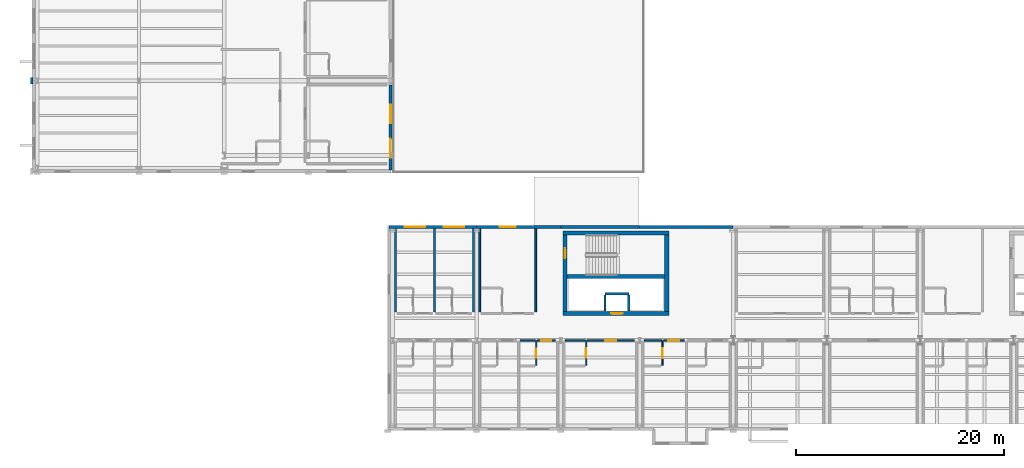
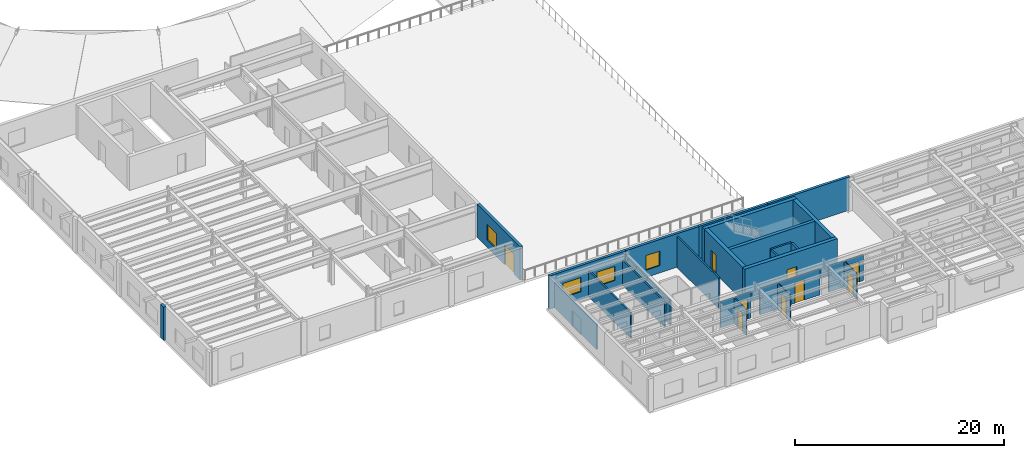
# One storey, part 36 of 59: 28 walls, 9 doors, 4 windows, 13 openings.
"""IFC4 building model written with IfcOpenShell, lengths in metres."""

from ifc_helpers import new_model, si_unit, direction, frame, frame_2d, origin, place, context, subcontext, project, spatial, rectangle, extrude, material, layer, layer_set, type_object, element, fill, save


model = new_model("IFC4")

# Units and contexts
model_context = context("Model", 3, precision=1e-05, world=origin(), true_north=direction((0.0, 1.0)))
body_context = subcontext(model_context, "Body", "Model", "MODEL_VIEW")
ifc_project = project(units=[si_unit("LENGTHUNIT", "METRE"), si_unit("AREAUNIT", "SQUARE_METRE"), si_unit("VOLUMEUNIT", "CUBIC_METRE"), si_unit("PLANEANGLEUNIT", "RADIAN"), si_unit("MASSUNIT", "GRAM", prefix="KILO")], contexts=[model_context])

# Site, building, storey
site_placement = place(None, origin())
site = spatial("IfcSite", under=ifc_project, at=site_placement, CompositionType="ELEMENT")
building_placement = place(site_placement, origin())
building = spatial("IfcBuilding", under=site, at=building_placement, Name="Sollismere Congress Hotel", CompositionType="ELEMENT")
storey_placement = place(building_placement, frame((0.0, 0.0, 15.60009765625)))
storey = spatial("IfcBuildingStorey", under=building, at=storey_placement, Name="L03", CompositionType="ELEMENT", Elevation=15.60009765625)

# Wall, openings, door, window
ifc_material_1 = material(Name="Colorado Buff Sandstone Rainscreen on Insulated Backup", Category="masonry")
ifc_layer_1 = layer(ifc_material_1, 0.284912109375, Name="Colorado Buff Sandstone Rainscreen on Insulated Backup")
ifc_layer_set_1 = layer_set([ifc_layer_1], Name="Colorado Buff Sandstone Rainscreen on Insulated Backup")
wall_type_1 = type_object("IfcWallType", Name="WL-EXT285", PredefinedType="STANDARD", material=ifc_layer_set_1)
wall_1_placement = place(storey_placement, frame((34.030029296875, 24.60009765625, 0.0), z_axis=(0.0, 0.0, 1.0), x_axis=(0.0, 1.0, 0.0)))
wall_1 = element("IfcWall", 1, at=wall_1_placement, inside=storey, type_object=wall_type_1, Name="Exterior wall EW-L03-195", PredefinedType="STANDARD", context=body_context, shape_type="SweptSolid", body=[
    extrude(rectangle(XDim=8.199951171875, YDim=0.284912109375, at=frame_2d((4.10009765625, 0.0))), origin(), (0.0, 0.0, 1.0), 3.89990234375),
])
opening_1_placement = place(wall_1_placement, frame((1.199951171875, 0.0, 0.0)))
opening_1 = element("IfcOpeningElement", 2, at=opening_1_placement, cuts=wall_1, Name="Opening D-L03-GD1", PredefinedType="OPENING", context=body_context, shape_type="SweptSolid", body=[
    extrude(rectangle(XDim=1.800048828125, YDim=2.300048828125, at=frame_2d((0.89990234375, 1.14990234375))), frame((0.0, 0.15234375, 0.0), z_axis=(0.0, -1.0, 0.0), x_axis=(1.0, 0.0, 0.0)), (0.0, 0.0, 1.0), 0.304931640625),
])
opening_2_placement = place(wall_1_placement, frame((4.5, 0.0, 0.8798828125)))
opening_2 = element("IfcOpeningElement", 3, at=opening_2_placement, cuts=wall_1, Name="Opening W-L03-161", PredefinedType="OPENING", context=body_context, shape_type="SweptSolid", body=[
    extrude(rectangle(XDim=1.800048828125, YDim=1.800048828125, at=frame_2d((0.89990234375, 0.89990234375))), frame((0.0, 0.15234375, 0.0), z_axis=(0.0, -1.0, 0.0), x_axis=(1.0, 0.0, 0.0)), (0.0, 0.0, 1.0), 0.304931640625),
])
ifc_material_2 = material(Name="Thermally Broken Bronze-Anodized Aluminum & Laminated Glass", Category="aluminium")
door_type_1 = type_object("IfcDoorType", Name="DR-EX180", OperationType="DOUBLE_DOOR_SINGLE_SWING", PredefinedType="DOOR", material=ifc_material_2)
door_1_placement = place(opening_1_placement, origin())
door_1 = element("IfcDoor", 4, at=door_1_placement, inside=storey, type_object=door_type_1, Name="DOR-D-L03-GD1", OperationType="DOUBLE_DOOR_SINGLE_SWING", OverallHeight=2.300048828125, OverallWidth=1.800048828125, PredefinedType="DOOR", context=body_context, shape_type="SweptSolid", body=[
    extrude(rectangle(XDim=1.800048828125, YDim=2.300048828125, at=frame_2d((0.89990234375, 1.14990234375))), frame((0.0, 0.02490234375, 0.0), z_axis=(0.0, -1.0, 0.0), x_axis=(1.0, 0.0, 0.0)), (0.0, 0.0, 1.0), 0.050048828125),
])
fill(opening_1, door_1)
ifc_material_3 = material(Name="Thermally Broken Bronze Aluminum & Low-E Glass", Category="aluminium")
window_type_1 = type_object("IfcWindowType", Name="WN-P180x180", PartitioningType="SINGLE_PANEL", PredefinedType="WINDOW", material=ifc_material_3)
window_1_placement = place(opening_2_placement, origin())
window_1 = element("IfcWindow", 5, at=window_1_placement, inside=storey, type_object=window_type_1, Name="WIN-W-L03-161", OverallHeight=1.800048828125, OverallWidth=1.800048828125, PartitioningType="SINGLE_PANEL", PredefinedType="WINDOW", context=body_context, shape_type="SweptSolid", body=[
    extrude(rectangle(XDim=1.800048828125, YDim=1.800048828125, at=frame_2d((0.89990234375, 0.89990234375))), frame((0.0, 0.030029296875, 0.0), z_axis=(0.0, -1.0, 0.0), x_axis=(1.0, 0.0, 0.0)), (0.0, 0.0, 1.0), 0.06005859375),
])
fill(opening_2, window_1)

# Wall, openings, windows
wall_2_placement = place(storey_placement, frame((42.300048828125, 19.110107421875, 0.0), z_axis=(0.0, 0.0, 1.0), x_axis=(-1.0, 0.0, 0.0)))
wall_2 = element("IfcWall", 6, at=wall_2_placement, inside=storey, type_object=wall_type_1, Name="Exterior wall EW-L03-455", PredefinedType="STANDARD", context=body_context, shape_type="SweptSolid", body=[
    extrude(rectangle(XDim=8.41015625, YDim=0.284912109375, at=frame_2d((4.205078125, 0.0))), origin(), (0.0, 0.0, 1.0), 3.89990234375),
])
opening_3_placement = place(wall_2_placement, frame((4.925048828125, 0.0, 0.85009765625)))
opening_3 = element("IfcOpeningElement", 7, at=opening_3_placement, cuts=wall_2, Name="Opening W-L03-347", PredefinedType="OPENING", context=body_context, shape_type="SweptSolid", body=[
    extrude(rectangle(XDim=2.0, YDim=1.64990234375, at=frame_2d((1.0, 0.824951171875))), frame((0.0, 0.15234375, 0.0), z_axis=(0.0, -1.0, 0.0), x_axis=(1.0, 0.0, 0.0)), (0.0, 0.0, 1.0), 0.304931640625),
])
opening_4_placement = place(wall_2_placement, frame((1.175048828125, 0.0, 0.85009765625)))
opening_4 = element("IfcOpeningElement", 8, at=opening_4_placement, cuts=wall_2, Name="Opening W-L03-348", PredefinedType="OPENING", context=body_context, shape_type="SweptSolid", body=[
    extrude(rectangle(XDim=2.0, YDim=1.64990234375, at=frame_2d((1.0, 0.824951171875))), frame((0.0, 0.15234375, 0.0), z_axis=(0.0, -1.0, 0.0), x_axis=(1.0, 0.0, 0.0)), (0.0, 0.0, 1.0), 0.304931640625),
])
window_type_2 = type_object("IfcWindowType", Name="WN-P200x165", PartitioningType="SINGLE_PANEL", PredefinedType="WINDOW", material=ifc_material_3)
window_2_placement = place(opening_3_placement, origin())
window_2 = element("IfcWindow", 9, at=window_2_placement, inside=storey, type_object=window_type_2, Name="WIN-W-L03-347", OverallHeight=1.64990234375, OverallWidth=2.0, PartitioningType="SINGLE_PANEL", PredefinedType="WINDOW", context=body_context, shape_type="SweptSolid", body=[
    extrude(rectangle(XDim=2.0, YDim=1.64990234375, at=frame_2d((1.0, 0.824951171875))), frame((0.0, 0.030029296875, 0.0), z_axis=(0.0, -1.0, 0.0), x_axis=(1.0, 0.0, 0.0)), (0.0, 0.0, 1.0), 0.06005859375),
])
fill(opening_3, window_2)
window_3_placement = place(opening_4_placement, origin())
window_3 = element("IfcWindow", 10, at=window_3_placement, inside=storey, type_object=window_type_2, Name="WIN-W-L03-348", OverallHeight=1.64990234375, OverallWidth=2.0, PartitioningType="SINGLE_PANEL", PredefinedType="WINDOW", context=body_context, shape_type="SweptSolid", body=[
    extrude(rectangle(XDim=2.0, YDim=1.64990234375, at=frame_2d((1.0, 0.824951171875))), frame((0.0, 0.030029296875, 0.0), z_axis=(0.0, -1.0, 0.0), x_axis=(1.0, 0.0, 0.0)), (0.0, 0.0, 1.0), 0.06005859375),
])
fill(opening_4, window_3)

# Wall, opening, window
wall_3_placement = place(storey_placement, frame((50.39990234375, 19.110107421875, 0.0), z_axis=(0.0, 0.0, 1.0), x_axis=(-1.0, 0.0, 0.0)))
wall_3 = element("IfcWall", 11, at=wall_3_placement, inside=storey, type_object=wall_type_1, Name="Exterior wall EW-L03-456", PredefinedType="STANDARD", context=body_context, shape_type="SweptSolid", body=[
    extrude(rectangle(XDim=8.099853515625, YDim=0.284912109375, at=frame_2d((4.0498046875, 0.0))), origin(), (0.0, 0.0, 1.0), 3.89990234375),
])
opening_5_placement = place(wall_3_placement, frame((4.35009765625, 0.0, 0.85009765625)))
opening_5 = element("IfcOpeningElement", 12, at=opening_5_placement, cuts=wall_3, Name="Opening W-L03-349", PredefinedType="OPENING", context=body_context, shape_type="SweptSolid", body=[
    extrude(rectangle(XDim=1.5, YDim=1.699951171875, at=frame_2d((0.75, 0.85009765625))), frame((0.0, 0.15234375, 0.0), z_axis=(0.0, -1.0, 0.0), x_axis=(1.0, 0.0, 0.0)), (0.0, 0.0, 1.0), 0.304931640625),
])
window_type_3 = type_object("IfcWindowType", Name="WN-P150x170", PartitioningType="SINGLE_PANEL", PredefinedType="WINDOW", material=ifc_material_3)
window_4_placement = place(opening_5_placement, origin())
window_4 = element("IfcWindow", 13, at=window_4_placement, inside=storey, type_object=window_type_3, Name="WIN-W-L03-349", OverallHeight=1.699951171875, OverallWidth=1.5, PartitioningType="SINGLE_PANEL", PredefinedType="WINDOW", context=body_context, shape_type="SweptSolid", body=[
    extrude(rectangle(XDim=1.5, YDim=1.699951171875, at=frame_2d((0.75, 0.85009765625))), frame((0.0, 0.030029296875, 0.0), z_axis=(0.0, -1.0, 0.0), x_axis=(1.0, 0.0, 0.0)), (0.0, 0.0, 1.0), 0.06005859375),
])
fill(opening_5, window_4)

# Walls
wall_4_placement = place(storey_placement, frame((58.0, 19.110107421875, 0.0), z_axis=(0.0, 0.0, 1.0), x_axis=(-1.0, 0.0, 0.0)))
element("IfcWall", 14, at=wall_4_placement, inside=storey, type_object=wall_type_1, Name="Exterior wall EW-L03-457", PredefinedType="STANDARD", context=body_context, shape_type="SweptSolid", body=[
    extrude(rectangle(XDim=7.60009765625, YDim=0.284912109375, at=frame_2d((3.800048828125, 0.0))), origin(), (0.0, 0.0, 1.0), 3.89990234375),
])
wall_5_placement = place(storey_placement, frame((67.0, 19.110107421875, 0.0), z_axis=(0.0, 0.0, 1.0), x_axis=(-1.0, 0.0, 0.0)))
element("IfcWall", 15, at=wall_5_placement, inside=storey, type_object=wall_type_1, Name="Exterior wall EW-L03-458", PredefinedType="STANDARD", context=body_context, shape_type="SweptSolid", body=[
    extrude(rectangle(XDim=9.0, YDim=0.284912109375, at=frame_2d((4.5, 0.0))), origin(), (0.0, 0.0, 1.0), 3.89990234375),
])
ifc_material_4 = material(Name="Carved Travertine Pilaster & Frieze Assembly", Category="masonry")
ifc_layer_2 = layer(ifc_material_4, 0.260009765625, Name="Carved Travertine Pilaster & Frieze Assembly")
ifc_layer_set_2 = layer_set([ifc_layer_2], Name="Carved Travertine Pilaster & Frieze Assembly")
wall_type_2 = type_object("IfcWallType", Name="WL-PIL280", PredefinedType="ELEMENTEDWALL", material=ifc_layer_set_2)
wall_6_placement = place(storey_placement, frame((-0.52001953125, 32.89990234375, 0.0), z_axis=(0.0, 0.0, 1.0), x_axis=(0.0, 1.0, 0.0)))
element("IfcWall", 16, at=wall_6_placement, inside=storey, type_object=wall_type_2, Name="Exterior wall EW-L03-179", PredefinedType="ELEMENTEDWALL", context=body_context, shape_type="SweptSolid", body=[
    extrude(rectangle(XDim=0.60009765625, YDim=0.260009765625, at=frame_2d((0.300048828125, 0.0))), origin(), (0.0, 0.0, 1.0), 3.89990234375),
])
ifc_material_5 = material(Name="Moisture-Resistant Shaft Gypsum Assembly")
ifc_layer_3 = layer(ifc_material_5, 0.199951171875, Name="Moisture-Resistant Shaft Gypsum Assembly")
ifc_layer_set_3 = layer_set([ifc_layer_3], Name="Moisture-Resistant Shaft Gypsum Assembly")
wall_type_3 = type_object("IfcWallType", Name="WL-PLM200", PredefinedType="PLUMBINGWALL", material=ifc_layer_set_3)
wall_7_placement = place(storey_placement, frame((54.655029296875, 12.68994140625, 0.0), z_axis=(0.0, 0.0, 1.0), x_axis=(1.0, 0.0, 0.0)))
element("IfcWall", 17, at=wall_7_placement, inside=storey, type_object=wall_type_3, Name="Interior wall IW-L03-0708", PredefinedType="PLUMBINGWALL", context=body_context, shape_type="SweptSolid", body=[
    extrude(rectangle(XDim=2.2900390625, YDim=0.199951171875, at=frame_2d((1.14501953125, 0.0))), origin(), (0.0, 0.0, 1.0), 3.599853515625),
])
for number, where, z_axis, x_axis, name in (
    (18, (54.655029296875, 11.011962890625, 0.0), (0.0, 0.0, 1.0), (0.0, 1.0, 0.0), "Interior wall IW-L03-0709"),
    (19, (56.945068359375, 11.011962890625, 0.0), (0.0, 0.0, 1.0), (0.0, 1.0, 0.0), "Interior wall IW-L03-0710"),
):
    element("IfcWall", number, at=place(storey_placement, frame(where, z_axis=z_axis, x_axis=x_axis)), inside=storey, type_object=wall_type_3, Name=name, PredefinedType="PLUMBINGWALL", context=body_context, shape_type="SweptSolid", body=[
        extrude(rectangle(XDim=1.56591796875, YDim=0.199951171875, at=frame_2d((0.782958984375, 0.0))), origin(), (0.0, 0.0, 1.0), 3.599853515625),
    ])

# Wall, opening, door
ifc_material_6 = material(Name="Moisture-Resistant Gypsum Partition")
ifc_layer_4 = layer(ifc_material_6, 0.10009765625, Name="Moisture-Resistant Gypsum Partition")
ifc_layer_set_4 = layer_set([ifc_layer_4], Name="Moisture-Resistant Gypsum Partition")
wall_type_4 = type_object("IfcWallType", Name="WL-PRT100", PredefinedType="PARTITIONING", material=ifc_layer_set_4)
wall_8_placement = place(storey_placement, frame((48.0380859375, 5.7900390625, 0.0), z_axis=(0.0, 0.0, 1.0), x_axis=(0.0, 1.0, 0.0)))
wall_8 = element("IfcWall", 20, at=wall_8_placement, inside=storey, type_object=wall_type_4, Name="Interior wall IW-L03-1240", PredefinedType="PARTITIONING", context=body_context, shape_type="SweptSolid", body=[
    extrude(rectangle(XDim=2.369873046875, YDim=0.10009765625, at=frame_2d((1.18505859375, 0.0))), origin(), (0.0, 0.0, 1.0), 3.012939453125),
])
opening_6_placement = place(wall_8_placement, frame((0.7451171875, 0.0, 0.0)))
opening_6 = element("IfcOpeningElement", 21, at=opening_6_placement, cuts=wall_8, Name="Opening D-L03-0438", PredefinedType="OPENING", context=body_context, shape_type="SweptSolid", body=[
    extrude(rectangle(XDim=0.8798828125, YDim=2.10009765625, at=frame_2d((0.43994140625, 1.050048828125))), frame((0.0, 0.06005859375, 0.0), z_axis=(0.0, -1.0, 0.0), x_axis=(1.0, 0.0, 0.0)), (0.0, 0.0, 1.0), 0.1201171875),
])
ifc_material_7 = material(Name="Moisture-Sealed Timber Bathroom Door", Category="wood")
door_type_2 = type_object("IfcDoorType", Name="DR-BT01", OperationType="NOTDEFINED", PredefinedType="DOOR", material=ifc_material_7)
door_2_placement = place(opening_6_placement, origin())
door_2 = element("IfcDoor", 22, at=door_2_placement, inside=storey, type_object=door_type_2, Name="En-suite bathroom door D-L03-0438", OperationType="SINGLE_SWING_LEFT", OverallHeight=2.10009765625, OverallWidth=0.8798828125, PredefinedType="DOOR", context=body_context, shape_type="SweptSolid", body=[
    extrude(rectangle(XDim=0.8798828125, YDim=2.10009765625, at=frame_2d((0.43994140625, 1.050048828125))), frame((0.0, 0.02490234375, 0.0), z_axis=(0.0, -1.0, 0.0), x_axis=(1.0, 0.0, 0.0)), (0.0, 0.0, 1.0), 0.050048828125),
])
fill(opening_6, door_2)

wall_9_placement = place(storey_placement, frame((52.85009765625, 5.7900390625, 0.0), z_axis=(0.0, 0.0, 1.0), x_axis=(0.0, 1.0, 0.0)))
wall_9 = element("IfcWall", 23, at=wall_9_placement, inside=storey, type_object=wall_type_4, Name="Interior wall IW-L03-1252", PredefinedType="PARTITIONING", context=body_context, shape_type="SweptSolid", body=[
    extrude(rectangle(XDim=2.369873046875, YDim=0.10009765625, at=frame_2d((1.18505859375, 0.0))), origin(), (0.0, 0.0, 1.0), 3.012939453125),
])
opening_7_placement = place(wall_9_placement, frame((0.719970703125, 0.0, 0.0)))
opening_7 = element("IfcOpeningElement", 24, at=opening_7_placement, cuts=wall_9, Name="Opening D-L03-0442", PredefinedType="OPENING", context=body_context, shape_type="SweptSolid", body=[
    extrude(rectangle(XDim=0.929931640625, YDim=2.139892578125, at=frame_2d((0.46484375, 1.06982421875))), frame((0.0, 0.06005859375, 0.0), z_axis=(0.0, -1.0, 0.0), x_axis=(1.0, 0.0, 0.0)), (0.0, 0.0, 1.0), 0.1201171875),
])
door_type_3 = type_object("IfcDoorType", Name="DR-BT03", OperationType="NOTDEFINED", PredefinedType="DOOR", material=ifc_material_7)
door_3_placement = place(opening_7_placement, origin())
door_3 = element("IfcDoor", 25, at=door_3_placement, inside=storey, type_object=door_type_3, Name="En-suite bathroom door D-L03-0442", OperationType="SINGLE_SWING_LEFT", OverallHeight=2.139892578125, OverallWidth=0.929931640625, PredefinedType="DOOR", context=body_context, shape_type="SweptSolid", body=[
    extrude(rectangle(XDim=0.929931640625, YDim=2.139892578125, at=frame_2d((0.46484375, 1.06982421875))), frame((0.0, 0.02490234375, 0.0), z_axis=(0.0, -1.0, 0.0), x_axis=(1.0, 0.0, 0.0)), (0.0, 0.0, 1.0), 0.050048828125),
])
fill(opening_7, door_3)

wall_10_placement = place(storey_placement, frame((60.18994140625, 5.7900390625, 0.0), z_axis=(0.0, 0.0, 1.0), x_axis=(0.0, 1.0, 0.0)))
wall_10 = element("IfcWall", 26, at=wall_10_placement, inside=storey, type_object=wall_type_4, Name="Interior wall IW-L03-1258", PredefinedType="PARTITIONING", context=body_context, shape_type="SweptSolid", body=[
    extrude(rectangle(XDim=2.369873046875, YDim=0.10009765625, at=frame_2d((1.18505859375, 0.0))), origin(), (0.0, 0.0, 1.0), 3.012939453125),
])
opening_8_placement = place(wall_10_placement, frame((0.7080078125, 0.0, 0.0)))
opening_8 = element("IfcOpeningElement", 27, at=opening_8_placement, cuts=wall_10, Name="Opening D-L03-0444", PredefinedType="OPENING", context=body_context, shape_type="SweptSolid", body=[
    extrude(rectangle(XDim=0.955078125, YDim=2.139892578125, at=frame_2d((0.4775390625, 1.06982421875))), frame((0.0, 0.06005859375, 0.0), z_axis=(0.0, -1.0, 0.0), x_axis=(1.0, 0.0, 0.0)), (0.0, 0.0, 1.0), 0.1201171875),
])
door_type_4 = type_object("IfcDoorType", Name="DR-BT04", OperationType="NOTDEFINED", PredefinedType="DOOR", material=ifc_material_7)
door_4_placement = place(opening_8_placement, origin())
door_4 = element("IfcDoor", 28, at=door_4_placement, inside=storey, type_object=door_type_4, Name="En-suite bathroom door D-L03-0444", OperationType="SINGLE_SWING_LEFT", OverallHeight=2.139892578125, OverallWidth=0.955078125, PredefinedType="DOOR", context=body_context, shape_type="SweptSolid", body=[
    extrude(rectangle(XDim=0.955078125, YDim=2.139892578125, at=frame_2d((0.4775390625, 1.06982421875))), frame((0.0, 0.02490234375, 0.0), z_axis=(0.0, -1.0, 0.0), x_axis=(1.0, 0.0, 0.0)), (0.0, 0.0, 1.0), 0.050048828125),
])
fill(opening_8, door_4)

# Wall
ifc_material_8 = material(Name="Fire-Rated Gypsum Partition")
ifc_layer_5 = layer(ifc_material_8, 0.139892578125, Name="Fire-Rated Gypsum Partition")
ifc_layer_set_5 = layer_set([ifc_layer_5], Name="Fire-Rated Gypsum Partition")
wall_type_5 = type_object("IfcWallType", Name="WL-PRT140R", PredefinedType="PARTITIONING", material=ifc_layer_set_5)
wall_11_placement = place(storey_placement, frame((46.489990234375, 8.199951171875, 0.0), z_axis=(0.0, 0.0, 1.0), x_axis=(1.0, 0.0, 0.0)))
element("IfcWall", 29, at=wall_11_placement, inside=storey, type_object=wall_type_5, Name="Interior wall IW-L03-1237", PredefinedType="PARTITIONING", context=body_context, shape_type="SweptSolid", body=[
    extrude(rectangle(XDim=1.468017578125, YDim=0.139892578125, at=frame_2d((0.73388671875, 0.0))), origin(), (0.0, 0.0, 1.0), 3.012939453125),
])

# Wall, opening, door
wall_12_placement = place(storey_placement, frame((48.157958984375, 8.199951171875, 0.0), z_axis=(0.0, 0.0, 1.0), x_axis=(1.0, 0.0, 0.0)))
wall_12 = element("IfcWall", 30, at=wall_12_placement, inside=storey, type_object=wall_type_5, Name="Interior wall IW-L03-1238", PredefinedType="PARTITIONING", context=body_context, shape_type="SweptSolid", body=[
    extrude(rectangle(XDim=1.7021484375, YDim=0.139892578125, at=frame_2d((0.85107421875, 0.0))), origin(), (0.0, 0.0, 1.0), 3.012939453125),
])
opening_9_placement = place(wall_12_placement, frame((0.361083984375, 0.0, 0.0)))
opening_9 = element("IfcOpeningElement", 31, at=opening_9_placement, cuts=wall_12, Name="Opening D-L03-0437", PredefinedType="OPENING", context=body_context, shape_type="SweptSolid", body=[
    extrude(rectangle(XDim=0.97998046875, YDim=2.35009765625, at=frame_2d((0.489990234375, 1.175048828125))), frame((0.0, 0.079833984375, 0.0), z_axis=(0.0, -1.0, 0.0), x_axis=(1.0, 0.0, 0.0)), (0.0, 0.0, 1.0), 0.159912109375),
])
ifc_material_9 = material(Name="Solid-Core Acoustic Walnut Guestroom Entry Door")
door_type_5 = type_object("IfcDoorType", Name="DR-KY09", OperationType="NOTDEFINED", PredefinedType="DOOR", material=ifc_material_9)
door_5_placement = place(opening_9_placement, origin())
door_5 = element("IfcDoor", 32, at=door_5_placement, inside=storey, type_object=door_type_5, Name="Hotel room entry door D-L03-0437", OperationType="SINGLE_SWING_RIGHT", OverallHeight=2.35009765625, OverallWidth=0.97998046875, PredefinedType="DOOR", context=body_context, shape_type="SweptSolid", body=[
    extrude(rectangle(XDim=0.97998046875, YDim=2.35009765625, at=frame_2d((0.489990234375, 1.175048828125))), frame((0.0, 0.02490234375, 0.0), z_axis=(0.0, -1.0, 0.0), x_axis=(1.0, 0.0, 0.0)), (0.0, 0.0, 1.0), 0.050048828125),
])
fill(opening_9, door_5)

# Wall
wall_13_placement = place(storey_placement, frame((50.840087890625, 8.199951171875, 0.0), z_axis=(0.0, 0.0, 1.0), x_axis=(1.0, 0.0, 0.0)))
element("IfcWall", 33, at=wall_13_placement, inside=storey, type_object=wall_type_5, Name="Interior wall IW-L03-1248", PredefinedType="PARTITIONING", context=body_context, shape_type="SweptSolid", body=[
    extrude(rectangle(XDim=1.929931640625, YDim=0.139892578125, at=frame_2d((0.96484375, 0.0))), origin(), (0.0, 0.0, 1.0), 3.012939453125),
])

# Wall, opening, door
wall_14_placement = place(storey_placement, frame((52.969970703125, 8.199951171875, 0.0), z_axis=(0.0, 0.0, 1.0), x_axis=(1.0, 0.0, 0.0)))
wall_14 = element("IfcWall", 34, at=wall_14_placement, inside=storey, type_object=wall_type_5, Name="Interior wall IW-L03-1249", PredefinedType="PARTITIONING", context=body_context, shape_type="SweptSolid", body=[
    extrude(rectangle(XDim=4.489990234375, YDim=0.139892578125, at=frame_2d((2.2451171875, 0.0))), origin(), (0.0, 0.0, 1.0), 3.012939453125),
])
opening_10_placement = place(wall_14_placement, frame((1.72509765625, 0.0, 0.0)))
opening_10 = element("IfcOpeningElement", 35, at=opening_10_placement, cuts=wall_14, Name="Opening D-L03-0441", PredefinedType="OPENING", context=body_context, shape_type="SweptSolid", body=[
    extrude(rectangle(XDim=1.0400390625, YDim=2.39990234375, at=frame_2d((0.52001953125, 1.199951171875))), frame((0.0, 0.079833984375, 0.0), z_axis=(0.0, -1.0, 0.0), x_axis=(1.0, 0.0, 0.0)), (0.0, 0.0, 1.0), 0.159912109375),
])
door_type_6 = type_object("IfcDoorType", Name="DR-KY11", OperationType="NOTDEFINED", PredefinedType="DOOR", material=ifc_material_9)
door_6_placement = place(opening_10_placement, origin())
door_6 = element("IfcDoor", 36, at=door_6_placement, inside=storey, type_object=door_type_6, Name="Hotel room entry door D-L03-0441", OperationType="SINGLE_SWING_RIGHT", OverallHeight=2.39990234375, OverallWidth=1.0400390625, PredefinedType="DOOR", context=body_context, shape_type="SweptSolid", body=[
    extrude(rectangle(XDim=1.0400390625, YDim=2.39990234375, at=frame_2d((0.52001953125, 1.199951171875))), frame((0.0, 0.02490234375, 0.0), z_axis=(0.0, -1.0, 0.0), x_axis=(1.0, 0.0, 0.0)), (0.0, 0.0, 1.0), 0.050048828125),
])
fill(opening_10, door_6)

# Wall
wall_15_placement = place(storey_placement, frame((58.43994140625, 8.199951171875, 0.0), z_axis=(0.0, 0.0, 1.0), x_axis=(1.0, 0.0, 0.0)))
element("IfcWall", 37, at=wall_15_placement, inside=storey, type_object=wall_type_5, Name="Interior wall IW-L03-1254", PredefinedType="PARTITIONING", context=body_context, shape_type="SweptSolid", body=[
    extrude(rectangle(XDim=1.670166015625, YDim=0.139892578125, at=frame_2d((0.8349609375, 0.0))), origin(), (0.0, 0.0, 1.0), 3.012939453125),
])

# Wall, opening, door
wall_16_placement = place(storey_placement, frame((60.31005859375, 8.199951171875, 0.0), z_axis=(0.0, 0.0, 1.0), x_axis=(1.0, 0.0, 0.0)))
wall_16 = element("IfcWall", 38, at=wall_16_placement, inside=storey, type_object=wall_type_5, Name="Interior wall IW-L03-1255", PredefinedType="PARTITIONING", context=body_context, shape_type="SweptSolid", body=[
    extrude(rectangle(XDim=1.949951171875, YDim=0.139892578125, at=frame_2d((0.97509765625, 0.0))), origin(), (0.0, 0.0, 1.0), 3.012939453125),
])
opening_11_placement = place(wall_16_placement, frame((0.43994140625, 0.0, 0.0)))
opening_11 = element("IfcOpeningElement", 39, at=opening_11_placement, cuts=wall_16, Name="Opening D-L03-0443", PredefinedType="OPENING", context=body_context, shape_type="SweptSolid", body=[
    extrude(rectangle(XDim=1.070068359375, YDim=2.39990234375, at=frame_2d((0.53515625, 1.199951171875))), frame((0.0, 0.079833984375, 0.0), z_axis=(0.0, -1.0, 0.0), x_axis=(1.0, 0.0, 0.0)), (0.0, 0.0, 1.0), 0.159912109375),
])
door_type_7 = type_object("IfcDoorType", Name="DR-KY12", OperationType="NOTDEFINED", PredefinedType="DOOR", material=ifc_material_9)
door_7_placement = place(opening_11_placement, origin())
door_7 = element("IfcDoor", 40, at=door_7_placement, inside=storey, type_object=door_type_7, Name="Hotel room entry door D-L03-0443", OperationType="SINGLE_SWING_RIGHT", OverallHeight=2.39990234375, OverallWidth=1.070068359375, PredefinedType="DOOR", context=body_context, shape_type="SweptSolid", body=[
    extrude(rectangle(XDim=1.070068359375, YDim=2.39990234375, at=frame_2d((0.53515625, 1.199951171875))), frame((0.0, 0.02490234375, 0.0), z_axis=(0.0, -1.0, 0.0), x_axis=(1.0, 0.0, 0.0)), (0.0, 0.0, 1.0), 0.050048828125),
])
fill(opening_11, door_7)

# Walls
ifc_material_10 = material(Name="Fire-Rated Acoustic Gypsum Partition")
ifc_layer_6 = layer(ifc_material_10, 0.1650390625, Name="Fire-Rated Acoustic Gypsum Partition")
ifc_layer_set_6 = layer_set([ifc_layer_6], Name="Fire-Rated Acoustic Gypsum Partition")
wall_type_6 = type_object("IfcWallType", Name="WL-PRT165R", PredefinedType="PARTITIONING", material=ifc_layer_set_6)
wall_17_placement = place(storey_placement, frame((34.5, 10.93994140625, 0.0), z_axis=(0.0, 0.0, 1.0), x_axis=(0.0, 1.0, 0.0)))
element("IfcWall", 41, at=wall_17_placement, inside=storey, type_object=wall_type_6, Name="Interior wall IW-L03-1222", PredefinedType="PARTITIONING", context=body_context, shape_type="SweptSolid", body=[
    extrude(rectangle(XDim=8.012451171875, YDim=0.1650390625, at=frame_2d((4.00634765625, 0.0))), origin(), (0.0, 0.0, 1.0), 2.928955078125),
])
wall_18_placement = place(storey_placement, frame((38.25, 10.93994140625, 0.0), z_axis=(0.0, 0.0, 1.0), x_axis=(0.0, 1.0, 0.0)))
element("IfcWall", 42, at=wall_18_placement, inside=storey, type_object=wall_type_6, Name="Interior wall IW-L03-1223", PredefinedType="PARTITIONING", context=body_context, shape_type="SweptSolid", body=[
    extrude(rectangle(XDim=8.012451171875, YDim=0.1650390625, at=frame_2d((4.00634765625, 0.0))), origin(), (0.0, 0.0, 1.0), 3.012939453125),
])
for number, where, z_axis, x_axis, name in (
    (43, (42.0, 10.93994140625, 0.0), (0.0, 0.0, 1.0), (0.0, 1.0, 0.0), "Interior wall IW-L03-1228"),
    (44, (42.60009765625, 10.93994140625, 0.0), (0.0, 0.0, 1.0), (0.0, 1.0, 0.0), "Interior wall IW-L03-1244"),
):
    element("IfcWall", number, at=place(storey_placement, frame(where, z_axis=z_axis, x_axis=x_axis)), inside=storey, type_object=wall_type_6, Name=name, PredefinedType="PARTITIONING", context=body_context, shape_type="SweptSolid", body=[
        extrude(rectangle(XDim=8.012451171875, YDim=0.1650390625, at=frame_2d((4.00634765625, 0.0))), origin(), (0.0, 0.0, 1.0), 2.928955078125),
    ])
wall_19_placement = place(storey_placement, frame((48.0, 10.93994140625, 0.0), z_axis=(0.0, 0.0, 1.0), x_axis=(0.0, 1.0, 0.0)))
element("IfcWall", 45, at=wall_19_placement, inside=storey, type_object=wall_type_6, Name="Interior wall IW-L03-1245", PredefinedType="PARTITIONING", context=body_context, shape_type="SweptSolid", body=[
    extrude(rectangle(XDim=8.012451171875, YDim=0.1650390625, at=frame_2d((4.00634765625, 0.0))), origin(), (0.0, 0.0, 1.0), 3.599853515625),
])
ifc_material_11 = material(Name="Concrete C50/60", Category="concrete")
ifc_layer_7 = layer(ifc_material_11, 0.35009765625, Name="Concrete C50/60")
ifc_layer_set_7 = layer_set([ifc_layer_7], Name="Concrete C50/60")
wall_type_7 = type_object("IfcWallType", Name="WL-SHR350", PredefinedType="SHEAR", material=ifc_layer_set_7)
wall_20_placement = place(storey_placement, frame((51.0, 14.35009765625, 0.0), z_axis=(0.0, 0.0, 1.0), x_axis=(1.0, 0.0, 0.0)))
element("IfcWall", 46, at=wall_20_placement, inside=storey, type_object=wall_type_7, Name="Interior wall IW-L03-0707", PredefinedType="SHEAR", context=body_context, shape_type="SweptSolid", body=[
    extrude(rectangle(XDim=9.39990234375, YDim=0.35009765625, at=frame_2d((4.699951171875, 0.0))), origin(), (0.0, 0.0, 1.0), 3.89990234375),
])

# Wall, opening, door
ifc_layer_8 = layer(ifc_material_11, 0.39990234375, Name="Concrete C50/60")
ifc_layer_set_8 = layer_set([ifc_layer_8], Name="Concrete C50/60")
wall_type_8 = type_object("IfcWallType", Name="WL-SHR400", PredefinedType="SHEAR", material=ifc_layer_set_8)
wall_21_placement = place(storey_placement, frame((50.60009765625, 10.800048828125, 0.0), z_axis=(0.0, 0.0, 1.0), x_axis=(1.0, 0.0, 0.0)))
wall_21 = element("IfcWall", 47, at=wall_21_placement, inside=storey, type_object=wall_type_8, Name="Interior wall IW-L03-0703", PredefinedType="SHEAR", context=body_context, shape_type="SweptSolid", body=[
    extrude(rectangle(XDim=10.199951171875, YDim=0.39990234375, at=frame_2d((5.10009765625, 0.0))), origin(), (0.0, 0.0, 1.0), 3.89990234375),
])
opening_12_placement = place(wall_21_placement, frame((4.64990234375, 0.0, 0.0)))
opening_12 = element("IfcOpeningElement", 48, at=opening_12_placement, cuts=wall_21, Name="Opening LD-LP-09-L03", PredefinedType="OPENING", context=body_context, shape_type="SweptSolid", body=[
    extrude(rectangle(XDim=1.10009765625, YDim=2.199951171875, at=frame_2d((0.550048828125, 1.10009765625))), frame((0.0, 0.2099609375, 0.0), z_axis=(0.0, -1.0, 0.0), x_axis=(1.0, 0.0, 0.0)), (0.0, 0.0, 1.0), 0.419921875),
])
ifc_material_12 = material(Name="Brushed Bronze Sliding Elevator Landing Door")
door_type_8 = type_object("IfcDoorType", Name="DR-LD110", OperationType="NOTDEFINED", PredefinedType="DOOR", material=ifc_material_12)
door_8_placement = place(opening_12_placement, origin())
door_8 = element("IfcDoor", 49, at=door_8_placement, inside=storey, type_object=door_type_8, Name="Elevator landing door LD-LP-09-L03", OperationType="SLIDING_TO_LEFT", OverallHeight=2.199951171875, OverallWidth=1.10009765625, PredefinedType="DOOR", context=body_context, shape_type="SweptSolid", body=[
    extrude(rectangle(XDim=1.10009765625, YDim=2.199951171875, at=frame_2d((0.550048828125, 1.10009765625))), frame((0.0, 0.02490234375, 0.0), z_axis=(0.0, -1.0, 0.0), x_axis=(1.0, 0.0, 0.0)), (0.0, 0.0, 1.0), 0.050048828125),
])
fill(opening_12, door_8)

# Wall
wall_22_placement = place(storey_placement, frame((60.800048828125, 18.550048828125, 0.0), z_axis=(0.0, 0.0, 1.0), x_axis=(-1.0, 0.0, 0.0)))
element("IfcWall", 50, at=wall_22_placement, inside=storey, type_object=wall_type_8, Name="Interior wall IW-L03-0704", PredefinedType="SHEAR", context=body_context, shape_type="SweptSolid", body=[
    extrude(rectangle(XDim=10.199951171875, YDim=0.39990234375, at=frame_2d((5.10009765625, 0.0))), origin(), (0.0, 0.0, 1.0), 3.89990234375),
])

# Wall, opening, door
wall_23_placement = place(storey_placement, frame((50.800048828125, 18.35009765625, 0.0), z_axis=(0.0, 0.0, 1.0), x_axis=(0.0, -1.0, 0.0)))
wall_23 = element("IfcWall", 51, at=wall_23_placement, inside=storey, type_object=wall_type_8, Name="Interior wall IW-L03-0705", PredefinedType="SHEAR", context=body_context, shape_type="SweptSolid", body=[
    extrude(rectangle(XDim=7.35009765625, YDim=0.39990234375, at=frame_2d((3.675048828125, 0.0))), origin(), (0.0, 0.0, 1.0), 3.89990234375),
])
opening_13_placement = place(wall_23_placement, frame((1.300048828125, 0.0, 0.0)))
opening_13 = element("IfcOpeningElement", 52, at=opening_13_placement, cuts=wall_23, Name="Opening D-ST-06-L03", PredefinedType="OPENING", context=body_context, shape_type="SweptSolid", body=[
    extrude(rectangle(XDim=0.949951171875, YDim=2.199951171875, at=frame_2d((0.47509765625, 1.10009765625))), frame((0.0, 0.2099609375, 0.0), z_axis=(0.0, -1.0, 0.0), x_axis=(1.0, 0.0, 0.0)), (0.0, 0.0, 1.0), 0.419921875),
])
ifc_material_13 = material(Name="Fire-Rated Insulated Steel Door", Category="steel")
door_type_9 = type_object("IfcDoorType", Name="DR-FD90", OperationType="NOTDEFINED", PredefinedType="DOOR", material=ifc_material_13)
door_9_placement = place(opening_13_placement, origin())
door_9 = element("IfcDoor", 53, at=door_9_placement, inside=storey, type_object=door_type_9, Name="Exit stair fire door D-ST-06-L03", OperationType="SINGLE_SWING_RIGHT", OverallHeight=2.199951171875, OverallWidth=0.949951171875, PredefinedType="DOOR", context=body_context, shape_type="SweptSolid", body=[
    extrude(rectangle(XDim=0.949951171875, YDim=2.199951171875, at=frame_2d((0.47509765625, 1.10009765625))), frame((0.0, 0.02490234375, 0.0), z_axis=(0.0, -1.0, 0.0), x_axis=(1.0, 0.0, 0.0)), (0.0, 0.0, 1.0), 0.050048828125),
])
fill(opening_13, door_9)

# Wall
wall_24_placement = place(storey_placement, frame((60.60009765625, 11.0, 0.0), z_axis=(0.0, 0.0, 1.0), x_axis=(0.0, 1.0, 0.0)))
element("IfcWall", 54, at=wall_24_placement, inside=storey, type_object=wall_type_8, Name="Interior wall IW-L03-0706", PredefinedType="SHEAR", context=body_context, shape_type="SweptSolid", body=[
    extrude(rectangle(XDim=7.35009765625, YDim=0.39990234375, at=frame_2d((3.675048828125, 0.0))), origin(), (0.0, 0.0, 1.0), 3.89990234375),
])

save(model, "model.ifc")
